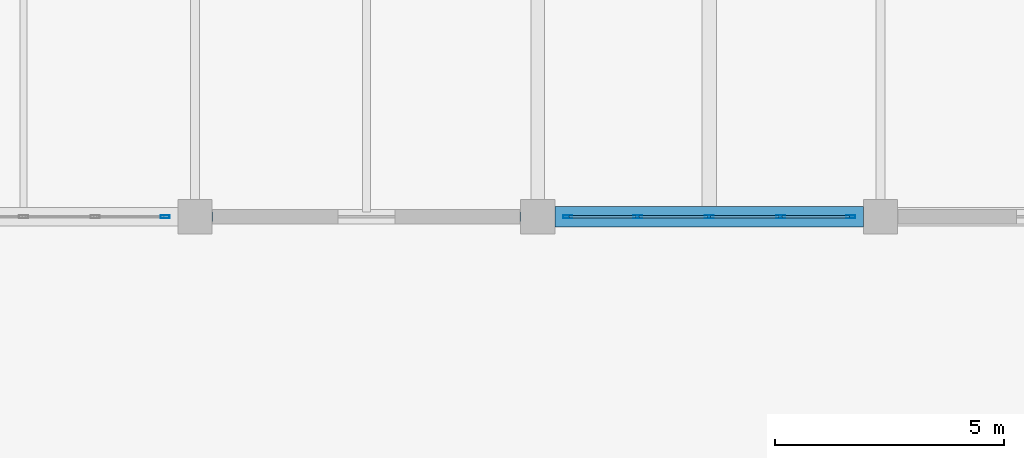
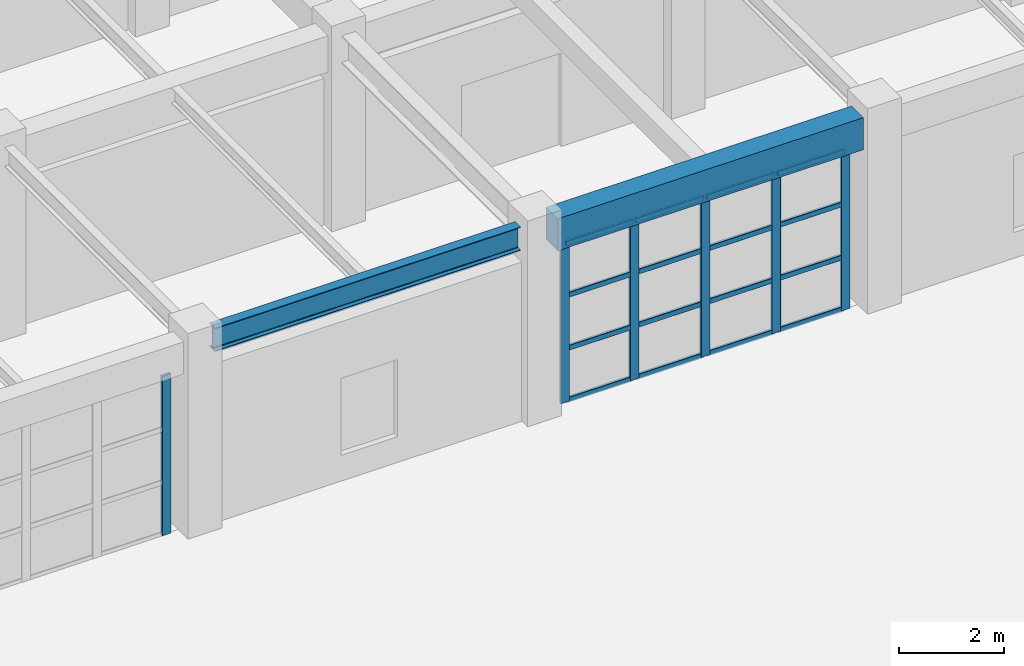
# One storey, part 62 of 122: 22 members, 2 beams, 2 elements without a shape of their own.
"""IFC4 building model written with IfcOpenShell, lengths in metres."""

from ifc_helpers import new_model, si_unit, direction, frame, origin, origin_2d, place, context, subcontext, project, spatial, rectangle, hollow_rectangle, i_section, extrude, material, material_profile, profile_set, type_object, element, aggregate, save


model = new_model("IFC4")

# Units and contexts
model_context = context("Model", 3, precision=1e-05, world=origin(), true_north=direction((0.0, 1.0)))
body_context = subcontext(model_context, "Body", "Model", "MODEL_VIEW")
ifc_project = project(units=[si_unit("LENGTHUNIT", "METRE"), si_unit("AREAUNIT", "SQUARE_METRE"), si_unit("VOLUMEUNIT", "CUBIC_METRE"), si_unit("PLANEANGLEUNIT", "RADIAN"), si_unit("MASSUNIT", "GRAM", prefix="KILO")], contexts=[model_context])

# Site, building, storey
site_placement = place(None, origin())
site = spatial("IfcSite", under=ifc_project, at=site_placement, CompositionType="ELEMENT")
building_placement = place(site_placement, origin())
building = spatial("IfcBuilding", under=site, at=building_placement, Name="Qasida Concert Hall", CompositionType="ELEMENT")
storey_placement = place(building_placement, origin())
storey = spatial("IfcBuildingStorey", under=building, at=storey_placement, Name="L00", CompositionType="ELEMENT", Elevation=0.0)

# Beams
ifc_material_1 = material(Name="Steel S355J2", Category="steel")
ifc_material_profile_1 = material_profile(ifc_material_1, i_section(OverallWidth=0.2099609375, OverallDepth=0.550048828125, WebThickness=0.010986328125, FlangeThickness=0.01708984375, FilletRadius=0.02392578125, at=origin_2d()), Name="IPE 550")
ifc_profile_set_1 = profile_set([ifc_material_profile_1], Name="Steel S355J2")
beam_type_1 = type_object("IfcBeamType", Name="BM-SP2", PredefinedType="SPANDREL", material=ifc_profile_set_1)
beam_1_placement = place(storey_placement, frame((127.875, 75.0, 4.22509765625), z_axis=(1.0, 0.0, 0.0), x_axis=(0.0, 1.0, 0.0)))
element("IfcBeam", 1, at=beam_1_placement, inside=storey, type_object=beam_type_1, Name="Primary girder 0590", PredefinedType="SPANDREL", context=body_context, shape_type="SweptSolid", body=[
    extrude(i_section(OverallWidth=0.2099609375, OverallDepth=0.550048828125, WebThickness=0.010986328125, FlangeThickness=0.01708984375, FilletRadius=0.02392578125, at=origin_2d()), origin(), (0.0, 0.0, 1.0), 6.75),
])
ifc_material_2 = material(Name="Concrete C40/50", Category="concrete")
ifc_material_profile_2 = material_profile(ifc_material_2, rectangle(XDim=0.449951171875, YDim=0.75, at=origin_2d()), Name="RC 450x750")
ifc_profile_set_2 = profile_set([ifc_material_profile_2], Name="Concrete C40/50")
beam_type_2 = type_object("IfcBeamType", Name="BM-SP4", PredefinedType="SPANDREL", material=ifc_profile_set_2)
beam_2_placement = place(storey_placement, frame((135.375, 75.0, 4.125), z_axis=(1.0, 0.0, 0.0), x_axis=(0.0, 1.0, 0.0)))
element("IfcBeam", 2, at=beam_2_placement, inside=storey, type_object=beam_type_2, Name="Primary girder 0591", PredefinedType="SPANDREL", context=body_context, shape_type="SweptSolid", body=[
    extrude(rectangle(XDim=0.449951171875, YDim=0.75, at=origin_2d()), origin(), (0.0, 0.0, 1.0), 6.75),
])

# Curtain wall, member
ifc_material_3 = material(Name="Architectural bronze-anodized aluminium and low-E glass", Category="aluminium")
curtain_wall_type = type_object("IfcCurtainWallType", Name="CW-03", PredefinedType="NOTDEFINED", material=ifc_material_3)
curtain_wall_1_placement = place(storey_placement, origin())
curtain_wall_1 = element("IfcCurtainWall", 3, at=curtain_wall_1_placement, inside=storey, type_object=curtain_wall_type, Name="L00 curtain wall CW-03 0151", PredefinedType="NOTDEFINED")
ifc_material_4 = material(Name="Architectural bronze-anodized aluminium EN AW-6063", Category="aluminium")
ifc_material_profile_3 = material_profile(ifc_material_4, hollow_rectangle(XDim=0.06494140625, YDim=0.199951171875, WallThickness=0.0048828125, InnerFilletRadius=0.0048828125, OuterFilletRadius=0.010009765625, at=origin_2d()), Name="CWM 200x65x5")
ifc_profile_set_3 = profile_set([ifc_material_profile_3], Name="Architectural bronze-anodized aluminium EN AW-6063")
member_type_1 = type_object("IfcMemberType", Name="MB-CWM-2", PredefinedType="MULLION", material=ifc_profile_set_3)
member_1_placement = place(storey_placement, frame((126.847412109375, 75.0, 0.0), z_axis=(0.0, 0.0, 1.0), x_axis=(0.0, 1.0, 0.0)))
member_1 = element("IfcMember", 4, at=member_1_placement, type_object=member_type_1, Name="CW-03 mullion 5", PredefinedType="MULLION", context=body_context, shape_type="SweptSolid", body=[
    extrude(hollow_rectangle(XDim=0.06494140625, YDim=0.199951171875, WallThickness=0.0048828125, InnerFilletRadius=0.0048828125, OuterFilletRadius=0.010009765625, at=origin_2d()), origin(), (0.0, 0.0, 1.0), 3.719970703125),
])
aggregate(curtain_wall_1, [member_1])

# Curtain wall, members
curtain_wall_2_placement = place(storey_placement, origin())
curtain_wall_2 = element("IfcCurtainWall", 5, at=curtain_wall_2_placement, inside=storey, type_object=curtain_wall_type, Name="L00 curtain wall CW-03 0153", PredefinedType="NOTDEFINED")
member_2_placement = place(storey_placement, frame((135.652587890625, 75.0, 0.0), z_axis=(0.0, 0.0, 1.0), x_axis=(0.0, 1.0, 0.0)))
member_2 = element("IfcMember", 6, at=member_2_placement, type_object=member_type_1, Name="CW-03 mullion 1", PredefinedType="MULLION", context=body_context, shape_type="SweptSolid", body=[
    extrude(hollow_rectangle(XDim=0.06494140625, YDim=0.199951171875, WallThickness=0.0048828125, InnerFilletRadius=0.0048828125, OuterFilletRadius=0.010009765625, at=origin_2d()), origin(), (0.0, 0.0, 1.0), 3.719970703125),
])
member_3_placement = place(storey_placement, frame((137.18505859375, 75.0, 0.0), z_axis=(0.0, 0.0, 1.0), x_axis=(0.0, 1.0, 0.0)))
member_3 = element("IfcMember", 7, at=member_3_placement, type_object=member_type_1, Name="CW-03 mullion 2", PredefinedType="MULLION", context=body_context, shape_type="SweptSolid", body=[
    extrude(hollow_rectangle(XDim=0.06494140625, YDim=0.199951171875, WallThickness=0.0048828125, InnerFilletRadius=0.0048828125, OuterFilletRadius=0.010009765625, at=origin_2d()), origin(), (0.0, 0.0, 1.0), 3.719970703125),
])
member_4_placement = place(storey_placement, frame((138.75, 75.0, 0.0), z_axis=(0.0, 0.0, 1.0), x_axis=(0.0, 1.0, 0.0)))
member_4 = element("IfcMember", 8, at=member_4_placement, type_object=member_type_1, Name="CW-03 mullion 3", PredefinedType="MULLION", context=body_context, shape_type="SweptSolid", body=[
    extrude(hollow_rectangle(XDim=0.06494140625, YDim=0.199951171875, WallThickness=0.0048828125, InnerFilletRadius=0.0048828125, OuterFilletRadius=0.010009765625, at=origin_2d()), origin(), (0.0, 0.0, 1.0), 3.719970703125),
])
member_5_placement = place(storey_placement, frame((140.31494140625, 75.0, 0.0), z_axis=(0.0, 0.0, 1.0), x_axis=(0.0, 1.0, 0.0)))
member_5 = element("IfcMember", 9, at=member_5_placement, type_object=member_type_1, Name="CW-03 mullion 4", PredefinedType="MULLION", context=body_context, shape_type="SweptSolid", body=[
    extrude(hollow_rectangle(XDim=0.06494140625, YDim=0.199951171875, WallThickness=0.0048828125, InnerFilletRadius=0.0048828125, OuterFilletRadius=0.010009765625, at=origin_2d()), origin(), (0.0, 0.0, 1.0), 3.719970703125),
])
member_6_placement = place(storey_placement, frame((141.847412109375, 75.0, 0.0), z_axis=(0.0, 0.0, 1.0), x_axis=(0.0, 1.0, 0.0)))
member_6 = element("IfcMember", 10, at=member_6_placement, type_object=member_type_1, Name="CW-03 mullion 5", PredefinedType="MULLION", context=body_context, shape_type="SweptSolid", body=[
    extrude(hollow_rectangle(XDim=0.06494140625, YDim=0.199951171875, WallThickness=0.0048828125, InnerFilletRadius=0.0048828125, OuterFilletRadius=0.010009765625, at=origin_2d()), origin(), (0.0, 0.0, 1.0), 3.719970703125),
])
ifc_material_profile_4 = material_profile(ifc_material_4, hollow_rectangle(XDim=0.06005859375, YDim=0.1201171875, WallThickness=0.00390625, InnerFilletRadius=0.00390625, OuterFilletRadius=0.008056640625, at=origin_2d()), Name="CWT 120x60x4")
ifc_profile_set_4 = profile_set([ifc_material_profile_4], Name="Architectural bronze-anodized aluminium EN AW-6063")
member_type_2 = type_object("IfcMemberType", Name="MB-CWT-2", PredefinedType="USERDEFINED", material=ifc_profile_set_4)
member_7_placement = place(storey_placement, frame((135.68505859375, 75.0, 0.030029296875), z_axis=(1.0, 0.0, 0.0), x_axis=(0.0, 1.0, 0.0)))
member_7 = element("IfcMember", 11, at=member_7_placement, type_object=member_type_2, Name="CW-03 transom 1.1", ObjectType="TRANSOM", PredefinedType="USERDEFINED", context=body_context, shape_type="SweptSolid", body=[
    extrude(hollow_rectangle(XDim=0.06005859375, YDim=0.1201171875, WallThickness=0.00390625, InnerFilletRadius=0.00390625, OuterFilletRadius=0.008056640625, at=origin_2d()), origin(), (0.0, 0.0, 1.0), 1.467529296875),
])
member_8_placement = place(storey_placement, frame((135.68505859375, 75.0, 1.239990234375), z_axis=(1.0, 0.0, 0.0), x_axis=(0.0, 1.0, 0.0)))
member_8 = element("IfcMember", 12, at=member_8_placement, type_object=member_type_2, Name="CW-03 transom 1.2", ObjectType="TRANSOM", PredefinedType="USERDEFINED", context=body_context, shape_type="SweptSolid", body=[
    extrude(hollow_rectangle(XDim=0.06005859375, YDim=0.1201171875, WallThickness=0.00390625, InnerFilletRadius=0.00390625, OuterFilletRadius=0.008056640625, at=origin_2d()), origin(), (0.0, 0.0, 1.0), 1.467529296875),
])
member_9_placement = place(storey_placement, frame((135.68505859375, 75.0, 2.47998046875), z_axis=(1.0, 0.0, 0.0), x_axis=(0.0, 1.0, 0.0)))
member_9 = element("IfcMember", 13, at=member_9_placement, type_object=member_type_2, Name="CW-03 transom 1.3", ObjectType="TRANSOM", PredefinedType="USERDEFINED", context=body_context, shape_type="SweptSolid", body=[
    extrude(hollow_rectangle(XDim=0.06005859375, YDim=0.1201171875, WallThickness=0.00390625, InnerFilletRadius=0.00390625, OuterFilletRadius=0.008056640625, at=origin_2d()), origin(), (0.0, 0.0, 1.0), 1.467529296875),
])
member_10_placement = place(storey_placement, frame((135.68505859375, 75.0, 3.68994140625), z_axis=(1.0, 0.0, 0.0), x_axis=(0.0, 1.0, 0.0)))
member_10 = element("IfcMember", 14, at=member_10_placement, type_object=member_type_2, Name="CW-03 transom 1.4", ObjectType="TRANSOM", PredefinedType="USERDEFINED", context=body_context, shape_type="SweptSolid", body=[
    extrude(hollow_rectangle(XDim=0.06005859375, YDim=0.1201171875, WallThickness=0.00390625, InnerFilletRadius=0.00390625, OuterFilletRadius=0.008056640625, at=origin_2d()), origin(), (0.0, 0.0, 1.0), 1.467529296875),
])
member_11_placement = place(storey_placement, frame((137.217529296875, 75.0, 0.030029296875), z_axis=(1.0, 0.0, 0.0), x_axis=(0.0, 1.0, 0.0)))
member_11 = element("IfcMember", 15, at=member_11_placement, type_object=member_type_2, Name="CW-03 transom 2.1", ObjectType="TRANSOM", PredefinedType="USERDEFINED", context=body_context, shape_type="SweptSolid", body=[
    extrude(hollow_rectangle(XDim=0.06005859375, YDim=0.1201171875, WallThickness=0.00390625, InnerFilletRadius=0.00390625, OuterFilletRadius=0.008056640625, at=origin_2d()), origin(), (0.0, 0.0, 1.0), 1.5),
])
member_12_placement = place(storey_placement, frame((137.217529296875, 75.0, 1.239990234375), z_axis=(1.0, 0.0, 0.0), x_axis=(0.0, 1.0, 0.0)))
member_12 = element("IfcMember", 16, at=member_12_placement, type_object=member_type_2, Name="CW-03 transom 2.2", ObjectType="TRANSOM", PredefinedType="USERDEFINED", context=body_context, shape_type="SweptSolid", body=[
    extrude(hollow_rectangle(XDim=0.06005859375, YDim=0.1201171875, WallThickness=0.00390625, InnerFilletRadius=0.00390625, OuterFilletRadius=0.008056640625, at=origin_2d()), origin(), (0.0, 0.0, 1.0), 1.5),
])
member_13_placement = place(storey_placement, frame((137.217529296875, 75.0, 2.47998046875), z_axis=(1.0, 0.0, 0.0), x_axis=(0.0, 1.0, 0.0)))
member_13 = element("IfcMember", 17, at=member_13_placement, type_object=member_type_2, Name="CW-03 transom 2.3", ObjectType="TRANSOM", PredefinedType="USERDEFINED", context=body_context, shape_type="SweptSolid", body=[
    extrude(hollow_rectangle(XDim=0.06005859375, YDim=0.1201171875, WallThickness=0.00390625, InnerFilletRadius=0.00390625, OuterFilletRadius=0.008056640625, at=origin_2d()), origin(), (0.0, 0.0, 1.0), 1.5),
])
member_14_placement = place(storey_placement, frame((137.217529296875, 75.0, 3.68994140625), z_axis=(1.0, 0.0, 0.0), x_axis=(0.0, 1.0, 0.0)))
member_14 = element("IfcMember", 18, at=member_14_placement, type_object=member_type_2, Name="CW-03 transom 2.4", ObjectType="TRANSOM", PredefinedType="USERDEFINED", context=body_context, shape_type="SweptSolid", body=[
    extrude(hollow_rectangle(XDim=0.06005859375, YDim=0.1201171875, WallThickness=0.00390625, InnerFilletRadius=0.00390625, OuterFilletRadius=0.008056640625, at=origin_2d()), origin(), (0.0, 0.0, 1.0), 1.5),
])
member_15_placement = place(storey_placement, frame((138.782470703125, 75.0, 0.030029296875), z_axis=(1.0, 0.0, 0.0), x_axis=(0.0, 1.0, 0.0)))
member_15 = element("IfcMember", 19, at=member_15_placement, type_object=member_type_2, Name="CW-03 transom 3.1", ObjectType="TRANSOM", PredefinedType="USERDEFINED", context=body_context, shape_type="SweptSolid", body=[
    extrude(hollow_rectangle(XDim=0.06005859375, YDim=0.1201171875, WallThickness=0.00390625, InnerFilletRadius=0.00390625, OuterFilletRadius=0.008056640625, at=origin_2d()), origin(), (0.0, 0.0, 1.0), 1.5),
])
member_16_placement = place(storey_placement, frame((138.782470703125, 75.0, 1.239990234375), z_axis=(1.0, 0.0, 0.0), x_axis=(0.0, 1.0, 0.0)))
member_16 = element("IfcMember", 20, at=member_16_placement, type_object=member_type_2, Name="CW-03 transom 3.2", ObjectType="TRANSOM", PredefinedType="USERDEFINED", context=body_context, shape_type="SweptSolid", body=[
    extrude(hollow_rectangle(XDim=0.06005859375, YDim=0.1201171875, WallThickness=0.00390625, InnerFilletRadius=0.00390625, OuterFilletRadius=0.008056640625, at=origin_2d()), origin(), (0.0, 0.0, 1.0), 1.5),
])
member_17_placement = place(storey_placement, frame((138.782470703125, 75.0, 2.47998046875), z_axis=(1.0, 0.0, 0.0), x_axis=(0.0, 1.0, 0.0)))
member_17 = element("IfcMember", 21, at=member_17_placement, type_object=member_type_2, Name="CW-03 transom 3.3", ObjectType="TRANSOM", PredefinedType="USERDEFINED", context=body_context, shape_type="SweptSolid", body=[
    extrude(hollow_rectangle(XDim=0.06005859375, YDim=0.1201171875, WallThickness=0.00390625, InnerFilletRadius=0.00390625, OuterFilletRadius=0.008056640625, at=origin_2d()), origin(), (0.0, 0.0, 1.0), 1.5),
])
member_18_placement = place(storey_placement, frame((138.782470703125, 75.0, 3.68994140625), z_axis=(1.0, 0.0, 0.0), x_axis=(0.0, 1.0, 0.0)))
member_18 = element("IfcMember", 22, at=member_18_placement, type_object=member_type_2, Name="CW-03 transom 3.4", ObjectType="TRANSOM", PredefinedType="USERDEFINED", context=body_context, shape_type="SweptSolid", body=[
    extrude(hollow_rectangle(XDim=0.06005859375, YDim=0.1201171875, WallThickness=0.00390625, InnerFilletRadius=0.00390625, OuterFilletRadius=0.008056640625, at=origin_2d()), origin(), (0.0, 0.0, 1.0), 1.5),
])
member_19_placement = place(storey_placement, frame((140.347412109375, 75.0, 0.030029296875), z_axis=(1.0, 0.0, 0.0), x_axis=(0.0, 1.0, 0.0)))
member_19 = element("IfcMember", 23, at=member_19_placement, type_object=member_type_2, Name="CW-03 transom 4.1", ObjectType="TRANSOM", PredefinedType="USERDEFINED", context=body_context, shape_type="SweptSolid", body=[
    extrude(hollow_rectangle(XDim=0.06005859375, YDim=0.1201171875, WallThickness=0.00390625, InnerFilletRadius=0.00390625, OuterFilletRadius=0.008056640625, at=origin_2d()), origin(), (0.0, 0.0, 1.0), 1.467529296875),
])
member_20_placement = place(storey_placement, frame((140.347412109375, 75.0, 1.239990234375), z_axis=(1.0, 0.0, 0.0), x_axis=(0.0, 1.0, 0.0)))
member_20 = element("IfcMember", 24, at=member_20_placement, type_object=member_type_2, Name="CW-03 transom 4.2", ObjectType="TRANSOM", PredefinedType="USERDEFINED", context=body_context, shape_type="SweptSolid", body=[
    extrude(hollow_rectangle(XDim=0.06005859375, YDim=0.1201171875, WallThickness=0.00390625, InnerFilletRadius=0.00390625, OuterFilletRadius=0.008056640625, at=origin_2d()), origin(), (0.0, 0.0, 1.0), 1.467529296875),
])
member_21_placement = place(storey_placement, frame((140.347412109375, 75.0, 2.47998046875), z_axis=(1.0, 0.0, 0.0), x_axis=(0.0, 1.0, 0.0)))
member_21 = element("IfcMember", 25, at=member_21_placement, type_object=member_type_2, Name="CW-03 transom 4.3", ObjectType="TRANSOM", PredefinedType="USERDEFINED", context=body_context, shape_type="SweptSolid", body=[
    extrude(hollow_rectangle(XDim=0.06005859375, YDim=0.1201171875, WallThickness=0.00390625, InnerFilletRadius=0.00390625, OuterFilletRadius=0.008056640625, at=origin_2d()), origin(), (0.0, 0.0, 1.0), 1.467529296875),
])
member_22_placement = place(storey_placement, frame((140.347412109375, 75.0, 3.68994140625), z_axis=(1.0, 0.0, 0.0), x_axis=(0.0, 1.0, 0.0)))
member_22 = element("IfcMember", 26, at=member_22_placement, type_object=member_type_2, Name="CW-03 transom 4.4", ObjectType="TRANSOM", PredefinedType="USERDEFINED", context=body_context, shape_type="SweptSolid", body=[
    extrude(hollow_rectangle(XDim=0.06005859375, YDim=0.1201171875, WallThickness=0.00390625, InnerFilletRadius=0.00390625, OuterFilletRadius=0.008056640625, at=origin_2d()), origin(), (0.0, 0.0, 1.0), 1.467529296875),
])
aggregate(curtain_wall_2, [member_2, member_3, member_4, member_5, member_6, member_7, member_8, member_9, member_10, member_11, member_12, member_13, member_14, member_15, member_16, member_17, member_18, member_19, member_20, member_21, member_22])

save(model, "model.ifc")
